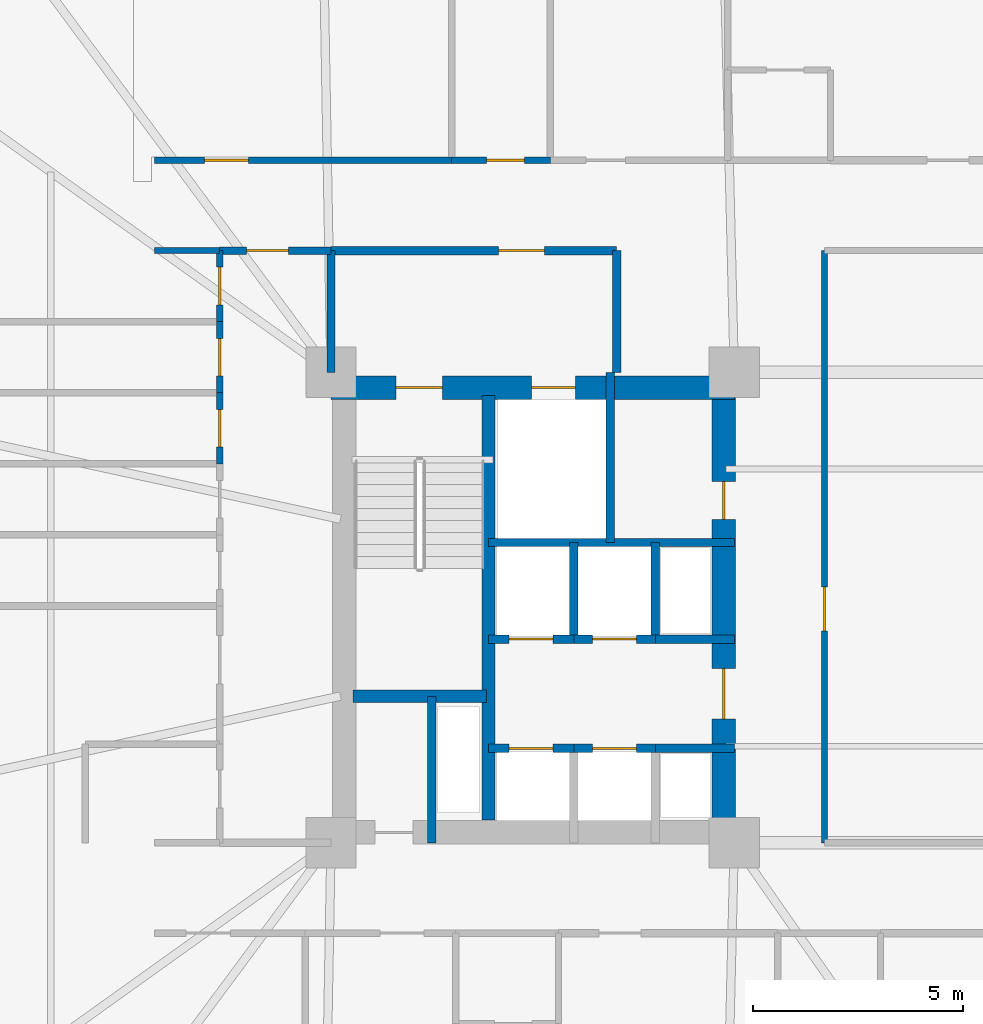
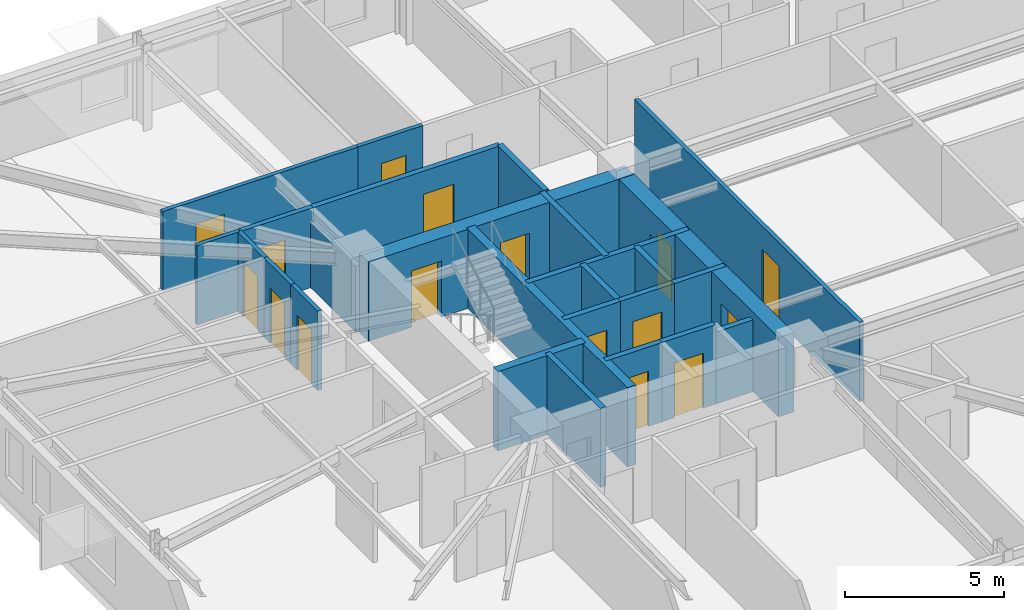
# One storey, part 15 of 22: 26 walls, 16 doors, 16 openings.
"""IFC4 building model written with IfcOpenShell, lengths in metres."""

from ifc_helpers import new_model, si_unit, direction, frame, frame_2d, origin, place, context, subcontext, project, spatial, rectangle, extrude, material, layer, layer_set, type_object, element, fill, save


model = new_model("IFC4")

# Units and contexts
model_context = context("Model", 3, precision=1e-05, world=origin(), true_north=direction((0.0, 1.0)))
body_context = subcontext(model_context, "Body", "Model", "MODEL_VIEW")
ifc_project = project(units=[si_unit("LENGTHUNIT", "METRE"), si_unit("AREAUNIT", "SQUARE_METRE"), si_unit("VOLUMEUNIT", "CUBIC_METRE"), si_unit("PLANEANGLEUNIT", "RADIAN"), si_unit("MASSUNIT", "GRAM", prefix="KILO")], contexts=[model_context])

# Site, building, storey
site_placement = place(None, origin())
site = spatial("IfcSite", under=ifc_project, at=site_placement, CompositionType="ELEMENT")
building_placement = place(site_placement, origin())
building = spatial("IfcBuilding", under=site, at=building_placement, Name="Qobustan Lattice House", CompositionType="ELEMENT")
storey_placement = place(building_placement, frame((0.0, 0.0, 33.699951171875)))
storey = spatial("IfcBuildingStorey", under=building, at=storey_placement, Name="L08", CompositionType="ELEMENT", Elevation=33.699951171875)

# Wall, openings, doors
ifc_material_1 = material(Name="Concrete C60/75", Category="concrete")
ifc_layer_1 = layer(ifc_material_1, 0.56005859375)
ifc_layer_set_1 = layer_set([ifc_layer_1], Name="Concrete C60/75")
wall_type_1 = type_object("IfcWallType", Name="WAL-CORE-600", PredefinedType="SHEAR", material=ifc_layer_set_1)
wall_1_placement = place(storey_placement, frame((-18.800048828125, 5.239990234375, 0.0), z_axis=(0.0, 0.0, 1.0), x_axis=(1.0, 0.0, 0.0)))
wall_1 = element("IfcWall", 1, at=wall_1_placement, inside=storey, type_object=wall_type_1, Name="L08 split-core shear wall CW-N", PredefinedType="SHEAR", context=body_context, shape_type="SweptSolid", body=[
    extrude(rectangle(XDim=9.60009765625, YDim=0.56005859375, at=frame_2d((4.800048828125, 0.0))), origin(), (0.0, 0.0, 1.0), 3.03515625),
])
opening_1_placement = place(wall_1_placement, frame((1.550048828125, 0.0, 0.0)))
opening_1 = element("IfcOpeningElement", 2, at=opening_1_placement, cuts=wall_1, Name="Opening SD-01", PredefinedType="OPENING", context=body_context, shape_type="SweptSolid", body=[
    extrude(rectangle(XDim=1.10009765625, YDim=2.14990234375, at=frame_2d((0.550048828125, 1.074951171875))), frame((0.0, 0.2900390625, 0.0), z_axis=(0.0, -1.0, 0.0), x_axis=(1.0, 0.0, 0.0)), (0.0, 0.0, 1.0), 0.580078125),
])
opening_2_placement = place(wall_1_placement, frame((4.77490234375, 0.0, 0.0)))
opening_2 = element("IfcOpeningElement", 3, at=opening_2_placement, cuts=wall_1, Name="Opening LD-01", PredefinedType="OPENING", context=body_context, shape_type="SweptSolid", body=[
    extrude(rectangle(XDim=1.050048828125, YDim=2.10009765625, at=frame_2d((0.52490234375, 1.050048828125))), frame((0.0, 0.2900390625, 0.0), z_axis=(0.0, -1.0, 0.0), x_axis=(1.0, 0.0, 0.0)), (0.0, 0.0, 1.0), 0.580078125),
])
ifc_material_2 = material(Name="Persian walnut timber and steel frame door", Category="steel")
door_type_1 = type_object("IfcDoorType", Name="DOR-LIFT-LD-1050x2100", OperationType="NOTDEFINED", PredefinedType="DOOR", material=ifc_material_2)
door_1_placement = place(opening_2_placement, origin())
door_1 = element("IfcDoor", 4, at=door_1_placement, inside=storey, type_object=door_type_1, Name="L08 firefighting lift FF-W landing door", OperationType="DOUBLE_DOOR_SLIDING", OverallHeight=2.10009765625, OverallWidth=1.050048828125, PredefinedType="DOOR", context=body_context, shape_type="SweptSolid", body=[
    extrude(rectangle(XDim=1.050048828125, YDim=2.10009765625, at=frame_2d((0.52490234375, 1.050048828125))), frame((0.0, 0.02490234375, 0.0), z_axis=(0.0, -1.0, 0.0), x_axis=(1.0, 0.0, 0.0)), (0.0, 0.0, 1.0), 0.050048828125),
])
fill(opening_2, door_1)
ifc_material_3 = material(Name="Persian walnut timber and steel frame door", Category="steel")
door_type_2 = type_object("IfcDoorType", Name="DOR-STAIR-FD-1100x2150", OperationType="NOTDEFINED", PredefinedType="DOOR", material=ifc_material_3)
door_2_placement = place(opening_1_placement, origin())
door_2 = element("IfcDoor", 5, at=door_2_placement, inside=storey, type_object=door_type_2, Name="L08 exit stair ST-W1 fire door", OperationType="SINGLE_SWING_LEFT", OverallHeight=2.14990234375, OverallWidth=1.10009765625, PredefinedType="DOOR", context=body_context, shape_type="SweptSolid", body=[
    extrude(rectangle(XDim=1.10009765625, YDim=2.14990234375, at=frame_2d((0.550048828125, 1.074951171875))), frame((0.0, 0.02490234375, 0.0), z_axis=(0.0, -1.0, 0.0), x_axis=(1.0, 0.0, 0.0)), (0.0, 0.0, 1.0), 0.050048828125),
])
fill(opening_1, door_2)

wall_2_placement = place(storey_placement, frame((-9.449951171875, -5.050048828125, 0.0), z_axis=(0.0, 0.0, 1.0), x_axis=(0.0, 1.0, 0.0)))
wall_2 = element("IfcWall", 6, at=wall_2_placement, inside=storey, type_object=wall_type_1, Name="L08 split-core shear wall CW-E", PredefinedType="SHEAR", context=body_context, shape_type="SweptSolid", body=[
    extrude(rectangle(XDim=10.10009765625, YDim=0.56005859375, at=frame_2d((5.050048828125, 0.0))), origin(), (0.0, 0.0, 1.0), 3.03515625),
])
opening_3_placement = place(wall_2_placement, frame((7.14990234375, 0.0, 0.0)))
opening_3 = element("IfcOpeningElement", 7, at=opening_3_placement, cuts=wall_2, Name="Opening RD-01", PredefinedType="OPENING", context=body_context, shape_type="SweptSolid", body=[
    extrude(rectangle(XDim=0.89990234375, YDim=2.10009765625, at=frame_2d((0.449951171875, 1.050048828125))), frame((0.0, 0.2900390625, 0.0), z_axis=(0.0, -1.0, 0.0), x_axis=(1.0, 0.0, 0.0)), (0.0, 0.0, 1.0), 0.580078125),
])
opening_4_placement = place(wall_2_placement, frame((2.39990234375, 0.0, 0.0)))
opening_4 = element("IfcOpeningElement", 8, at=opening_4_placement, cuts=wall_2, Name="Opening FD-01", PredefinedType="OPENING", context=body_context, shape_type="SweptSolid", body=[
    extrude(rectangle(XDim=1.199951171875, YDim=2.14990234375, at=frame_2d((0.60009765625, 1.074951171875))), frame((0.0, 0.2900390625, 0.0), z_axis=(0.0, -1.0, 0.0), x_axis=(1.0, 0.0, 0.0)), (0.0, 0.0, 1.0), 0.580078125),
])
ifc_material_4 = material(Name="Persian walnut timber and steel frame door", Category="steel")
door_type_3 = type_object("IfcDoorType", Name="DOR-LOBBY-FD-1200x2150", OperationType="NOTDEFINED", PredefinedType="DOOR", material=ifc_material_4)
door_3_placement = place(opening_4_placement, origin())
door_3 = element("IfcDoor", 9, at=door_3_placement, inside=storey, type_object=door_type_3, Name="L08 West passenger lift lobby fire door", OperationType="SINGLE_SWING_LEFT", OverallHeight=2.14990234375, OverallWidth=1.199951171875, PredefinedType="DOOR", context=body_context, shape_type="SweptSolid", body=[
    extrude(rectangle(XDim=1.199951171875, YDim=2.14990234375, at=frame_2d((0.60009765625, 1.074951171875))), frame((0.0, 0.02490234375, 0.0), z_axis=(0.0, -1.0, 0.0), x_axis=(1.0, 0.0, 0.0)), (0.0, 0.0, 1.0), 0.050048828125),
])
fill(opening_4, door_3)
ifc_material_5 = material(Name="Persian walnut timber and steel frame door", Category="steel")
door_type_4 = type_object("IfcDoorType", Name="DOR-RISER-FD-900x2100", OperationType="NOTDEFINED", PredefinedType="DOOR", material=ifc_material_5)
door_4_placement = place(opening_3_placement, origin())
door_4 = element("IfcDoor", 10, at=door_4_placement, inside=storey, type_object=door_type_4, Name="L08 Floor tea pantry fire door", OperationType="SINGLE_SWING_RIGHT", OverallHeight=2.10009765625, OverallWidth=0.89990234375, PredefinedType="DOOR", context=body_context, shape_type="SweptSolid", body=[
    extrude(rectangle(XDim=0.89990234375, YDim=2.10009765625, at=frame_2d((0.449951171875, 1.050048828125))), frame((0.0, 0.02490234375, 0.0), z_axis=(0.0, -1.0, 0.0), x_axis=(1.0, 0.0, 0.0)), (0.0, 0.0, 1.0), 0.050048828125),
])
fill(opening_3, door_4)

# Walls
ifc_material_6 = material(Name="Concrete C50/60", Category="concrete")
ifc_layer_2 = layer(ifc_material_6, 0.280029296875)
ifc_layer_set_2 = layer_set([ifc_layer_2], Name="Concrete C50/60")
wall_type_2 = type_object("IfcWallType", Name="WAL-CORE-SPINE-280", PredefinedType="SHEAR", material=ifc_layer_set_2)
wall_3_placement = place(storey_placement, frame((-15.050048828125, -5.050048828125, 0.0), z_axis=(0.0, 0.0, 1.0), x_axis=(0.0, 1.0, 0.0)))
element("IfcWall", 11, at=wall_3_placement, inside=storey, type_object=wall_type_2, Name="L08 split-core shear wall CW-M", PredefinedType="SHEAR", context=body_context, shape_type="SweptSolid", body=[
    extrude(rectangle(XDim=10.10009765625, YDim=0.300048828125, at=frame_2d((5.050048828125, 0.0))), origin(), (0.0, 0.0, 1.0), 3.03515625),
])
wall_4_placement = place(storey_placement, frame((-18.280029296875, -2.110107421875, 0.0), z_axis=(0.0, 0.0, 1.0), x_axis=(1.0, 0.0, 0.0)))
element("IfcWall", 12, at=wall_4_placement, inside=storey, type_object=wall_type_2, Name="L08 split-core shear wall CW-ST", PredefinedType="SHEAR", context=body_context, shape_type="SweptSolid", body=[
    extrude(rectangle(XDim=3.179931640625, YDim=0.300048828125, at=frame_2d((1.58984375, 0.0))), origin(), (0.0, 0.0, 1.0), 3.03515625),
])

# Wall, opening, door
ifc_material_7 = material(Name="Gypsum fireboard acoustic partition", Category="gypsum")
ifc_layer_3 = layer(ifc_material_7, 0.179931640625)
ifc_layer_set_3 = layer_set([ifc_layer_3], Name="Gypsum fireboard acoustic partition")
wall_type_3 = type_object("IfcWallType", Name="WAL-FIRE-180", PredefinedType="PARTITIONING", material=ifc_layer_set_3)
wall_5_placement = place(storey_placement, frame((-18.800048828125, 8.5, 0.0), z_axis=(0.0, 0.0, 1.0), x_axis=(-1.0, 0.0, 0.0)))
wall_5 = element("IfcWall", 13, at=wall_5_placement, inside=storey, type_object=wall_type_3, Name="L08 interior partition 36", PredefinedType="PARTITIONING", context=body_context, shape_type="SweptSolid", body=[
    extrude(rectangle(XDim=2.64990234375, YDim=0.179931640625, at=frame_2d((1.324951171875, 0.0))), origin(), (0.0, 0.0, 1.0), 3.03515625),
])
opening_5_placement = place(wall_5_placement, frame((1.0087890625, 0.0, 0.0)))
opening_5 = element("IfcOpeningElement", 14, at=opening_5_placement, cuts=wall_5, Name="Opening FD-02", PredefinedType="OPENING", context=body_context, shape_type="SweptSolid", body=[
    extrude(rectangle(XDim=1.0, YDim=2.14990234375, at=frame_2d((0.5, 1.074951171875))), frame((0.0, 0.099853515625, 0.0), z_axis=(0.0, -1.0, 0.0), x_axis=(1.0, 0.0, 0.0)), (0.0, 0.0, 1.0), 0.199951171875),
])
ifc_material_8 = material(Name="Persian walnut timber and steel frame door", Category="steel")
door_type_5 = type_object("IfcDoorType", Name="DOR-UNIT-FD-1000x2150", OperationType="NOTDEFINED", PredefinedType="DOOR", material=ifc_material_8)
door_5_placement = place(opening_5_placement, origin())
door_5 = element("IfcDoor", 15, at=door_5_placement, inside=storey, type_object=door_type_5, Name="L08 North-west floor corridor to Residence entrance hall L08W door", OperationType="SINGLE_SWING_RIGHT", OverallHeight=2.14990234375, OverallWidth=1.0, PredefinedType="DOOR", context=body_context, shape_type="SweptSolid", body=[
    extrude(rectangle(XDim=1.0, YDim=2.14990234375, at=frame_2d((0.5, 1.074951171875))), frame((0.0, 0.02490234375, 0.0), z_axis=(0.0, -1.0, 0.0), x_axis=(1.0, 0.0, 0.0)), (0.0, 0.0, 1.0), 0.050048828125),
])
fill(opening_5, door_5)

# Wall
ifc_material_9 = material(Name="Acoustic twin-stud gypsum partition", Category="gypsum")
ifc_layer_4 = layer(ifc_material_9, 0.14990234375)
ifc_layer_set_4 = layer_set([ifc_layer_4], Name="Acoustic twin-stud gypsum partition")
wall_type_4 = type_object("IfcWallType", Name="WAL-PART-150", PredefinedType="PARTITIONING", material=ifc_layer_set_4)
wall_6_placement = place(storey_placement, frame((-21.449951171875, 8.5, 0.0), z_axis=(0.0, 0.0, 1.0), x_axis=(-1.0, 0.0, 0.0)))
element("IfcWall", 16, at=wall_6_placement, inside=storey, type_object=wall_type_4, Name="L08 interior partition 37", PredefinedType="PARTITIONING", context=body_context, shape_type="SweptSolid", body=[
    extrude(rectangle(XDim=1.550048828125, YDim=0.14990234375, at=frame_2d((0.77490234375, 0.0))), origin(), (0.0, 0.0, 1.0), 3.03515625),
])

# Wall, opening, door
wall_7_placement = place(storey_placement, frame((-23.0, 10.64990234375, 0.0), z_axis=(0.0, 0.0, 1.0), x_axis=(1.0, 0.0, 0.0)))
wall_7 = element("IfcWall", 17, at=wall_7_placement, inside=storey, type_object=wall_type_4, Name="L08 interior partition 38", PredefinedType="PARTITIONING", context=body_context, shape_type="SweptSolid", body=[
    extrude(rectangle(XDim=7.071044921875, YDim=0.14990234375, at=frame_2d((3.53564453125, 0.0))), origin(), (0.0, 0.0, 1.0), 3.03515625),
])
opening_6_placement = place(wall_7_placement, frame((1.1875, 0.0, 0.0)))
opening_6 = element("IfcOpeningElement", 18, at=opening_6_placement, cuts=wall_7, Name="Opening ID-02", PredefinedType="OPENING", context=body_context, shape_type="SweptSolid", body=[
    extrude(rectangle(XDim=1.050048828125, YDim=2.14990234375, at=frame_2d((0.52490234375, 1.074951171875))), frame((0.0, 0.0849609375, 0.0), z_axis=(0.0, -1.0, 0.0), x_axis=(1.0, 0.0, 0.0)), (0.0, 0.0, 1.0), 0.169921875),
])
ifc_material_10 = material(Name="Persian walnut timber and steel frame door", Category="steel")
door_type_6 = type_object("IfcDoorType", Name="DOR-STUDY-1050x2150", OperationType="NOTDEFINED", PredefinedType="DOOR", material=ifc_material_10)
door_6_placement = place(opening_6_placement, origin())
door_6 = element("IfcDoor", 19, at=door_6_placement, inside=storey, type_object=door_type_6, Name="L08 North-west floor corridor to Focus study room N1 door", OperationType="SINGLE_SWING_LEFT", OverallHeight=2.14990234375, OverallWidth=1.050048828125, PredefinedType="DOOR", context=body_context, shape_type="SweptSolid", body=[
    extrude(rectangle(XDim=1.050048828125, YDim=2.14990234375, at=frame_2d((0.52490234375, 1.074951171875))), frame((0.0, 0.02490234375, 0.0), z_axis=(0.0, -1.0, 0.0), x_axis=(1.0, 0.0, 0.0)), (0.0, 0.0, 1.0), 0.050048828125),
])
fill(opening_6, door_6)

wall_8_placement = place(storey_placement, frame((-7.050048828125, 8.5, 0.0), z_axis=(0.0, 0.0, 1.0), x_axis=(0.0, -1.0, 0.0)))
wall_8 = element("IfcWall", 20, at=wall_8_placement, inside=storey, type_object=wall_type_4, Name="L08 interior partition 73", PredefinedType="PARTITIONING", context=body_context, shape_type="SweptSolid", body=[
    extrude(rectangle(XDim=14.10009765625, YDim=0.14990234375, at=frame_2d((7.050048828125, 0.0))), origin(), (0.0, 0.0, 1.0), 3.03515625),
])
opening_7_placement = place(wall_8_placement, frame((8.01123046875, 0.0, 0.0)))
opening_7 = element("IfcOpeningElement", 21, at=opening_7_placement, cuts=wall_8, Name="Opening ID-02", PredefinedType="OPENING", context=body_context, shape_type="SweptSolid", body=[
    extrude(rectangle(XDim=1.050048828125, YDim=2.14990234375, at=frame_2d((0.52490234375, 1.074951171875))), frame((0.0, 0.0849609375, 0.0), z_axis=(0.0, -1.0, 0.0), x_axis=(1.0, 0.0, 0.0)), (0.0, 0.0, 1.0), 0.169921875),
])
door_7_placement = place(opening_7_placement, origin())
door_7 = element("IfcDoor", 22, at=door_7_placement, inside=storey, type_object=door_type_6, Name="L08 West floor link corridor to Central silent study room door", OperationType="SINGLE_SWING_RIGHT", OverallHeight=2.14990234375, OverallWidth=1.050048828125, PredefinedType="DOOR", context=body_context, shape_type="SweptSolid", body=[
    extrude(rectangle(XDim=1.050048828125, YDim=2.14990234375, at=frame_2d((0.52490234375, 1.074951171875))), frame((0.0, 0.02490234375, 0.0), z_axis=(0.0, -1.0, 0.0), x_axis=(1.0, 0.0, 0.0)), (0.0, 0.0, 1.0), 0.050048828125),
])
fill(opening_7, door_7)

wall_9_placement = place(storey_placement, frame((-21.449951171875, 3.424072265625, 0.0), z_axis=(0.0, 0.0, 1.0), x_axis=(0.0, 1.0, 0.0)))
wall_9 = element("IfcWall", 23, at=wall_9_placement, inside=storey, type_object=wall_type_4, Name="L08 interior partition 80", PredefinedType="PARTITIONING", context=body_context, shape_type="SweptSolid", body=[
    extrude(rectangle(XDim=1.69189453125, YDim=0.14990234375, at=frame_2d((0.845947265625, 0.0))), origin(), (0.0, 0.0, 1.0), 3.03515625),
])
opening_8_placement = place(wall_9_placement, frame((0.39599609375, 0.0, 0.0)))
opening_8 = element("IfcOpeningElement", 24, at=opening_8_placement, cuts=wall_9, Name="Opening WD-01", PredefinedType="OPENING", context=body_context, shape_type="SweptSolid", body=[
    extrude(rectangle(XDim=0.89990234375, YDim=2.10009765625, at=frame_2d((0.449951171875, 1.050048828125))), frame((0.0, 0.0849609375, 0.0), z_axis=(0.0, -1.0, 0.0), x_axis=(1.0, 0.0, 0.0)), (0.0, 0.0, 1.0), 0.169921875),
])
ifc_material_11 = material(Name="Persian walnut timber and steel frame door", Category="steel")
door_type_7 = type_object("IfcDoorType", Name="DOR-WET-900x2100", OperationType="NOTDEFINED", PredefinedType="DOOR", material=ifc_material_11)
door_8_placement = place(opening_8_placement, origin())
door_8 = element("IfcDoor", 25, at=door_8_placement, inside=storey, type_object=door_type_7, Name="L08 Residence entrance hall L08W to Cluster bedroom L08W3 door", OperationType="SINGLE_SWING_LEFT", OverallHeight=2.10009765625, OverallWidth=0.89990234375, PredefinedType="DOOR", context=body_context, shape_type="SweptSolid", body=[
    extrude(rectangle(XDim=0.89990234375, YDim=2.10009765625, at=frame_2d((0.449951171875, 1.050048828125))), frame((0.0, 0.02490234375, 0.0), z_axis=(0.0, -1.0, 0.0), x_axis=(1.0, 0.0, 0.0)), (0.0, 0.0, 1.0), 0.050048828125),
])
fill(opening_8, door_8)

wall_10_placement = place(storey_placement, frame((-21.449951171875, 5.115966796875, 0.0), z_axis=(0.0, 0.0, 1.0), x_axis=(0.0, 1.0, 0.0)))
wall_10 = element("IfcWall", 26, at=wall_10_placement, inside=storey, type_object=wall_type_4, Name="L08 interior partition 81", PredefinedType="PARTITIONING", context=body_context, shape_type="SweptSolid", body=[
    extrude(rectangle(XDim=1.692138671875, YDim=0.14990234375, at=frame_2d((0.84619140625, 0.0))), origin(), (0.0, 0.0, 1.0), 3.03515625),
])
opening_9_placement = place(wall_10_placement, frame((0.39599609375, 0.0, 0.0)))
opening_9 = element("IfcOpeningElement", 27, at=opening_9_placement, cuts=wall_10, Name="Opening WD-01", PredefinedType="OPENING", context=body_context, shape_type="SweptSolid", body=[
    extrude(rectangle(XDim=0.89990234375, YDim=2.10009765625, at=frame_2d((0.449951171875, 1.050048828125))), frame((0.0, 0.0849609375, 0.0), z_axis=(0.0, -1.0, 0.0), x_axis=(1.0, 0.0, 0.0)), (0.0, 0.0, 1.0), 0.169921875),
])
door_9_placement = place(opening_9_placement, origin())
door_9 = element("IfcDoor", 28, at=door_9_placement, inside=storey, type_object=door_type_7, Name="L08 Residence entrance hall L08W to Cluster bedroom L08W4 door", OperationType="SINGLE_SWING_RIGHT", OverallHeight=2.10009765625, OverallWidth=0.89990234375, PredefinedType="DOOR", context=body_context, shape_type="SweptSolid", body=[
    extrude(rectangle(XDim=0.89990234375, YDim=2.10009765625, at=frame_2d((0.449951171875, 1.050048828125))), frame((0.0, 0.02490234375, 0.0), z_axis=(0.0, -1.0, 0.0), x_axis=(1.0, 0.0, 0.0)), (0.0, 0.0, 1.0), 0.050048828125),
])
fill(opening_9, door_9)

wall_11_placement = place(storey_placement, frame((-21.449951171875, 6.80810546875, 0.0), z_axis=(0.0, 0.0, 1.0), x_axis=(0.0, 1.0, 0.0)))
wall_11 = element("IfcWall", 29, at=wall_11_placement, inside=storey, type_object=wall_type_4, Name="L08 interior partition 82", PredefinedType="PARTITIONING", context=body_context, shape_type="SweptSolid", body=[
    extrude(rectangle(XDim=1.69189453125, YDim=0.14990234375, at=frame_2d((0.845947265625, 0.0))), origin(), (0.0, 0.0, 1.0), 3.03515625),
])
opening_10_placement = place(wall_11_placement, frame((0.39599609375, 0.0, 0.0)))
opening_10 = element("IfcOpeningElement", 30, at=opening_10_placement, cuts=wall_11, Name="Opening WD-01", PredefinedType="OPENING", context=body_context, shape_type="SweptSolid", body=[
    extrude(rectangle(XDim=0.89990234375, YDim=2.10009765625, at=frame_2d((0.449951171875, 1.050048828125))), frame((0.0, 0.0849609375, 0.0), z_axis=(0.0, -1.0, 0.0), x_axis=(1.0, 0.0, 0.0)), (0.0, 0.0, 1.0), 0.169921875),
])
door_10_placement = place(opening_10_placement, origin())
door_10 = element("IfcDoor", 31, at=door_10_placement, inside=storey, type_object=door_type_7, Name="L08 Residence entrance hall L08W to Cluster bedroom L08W5 door", OperationType="SINGLE_SWING_LEFT", OverallHeight=2.10009765625, OverallWidth=0.89990234375, PredefinedType="DOOR", context=body_context, shape_type="SweptSolid", body=[
    extrude(rectangle(XDim=0.89990234375, YDim=2.10009765625, at=frame_2d((0.449951171875, 1.050048828125))), frame((0.0, 0.02490234375, 0.0), z_axis=(0.0, -1.0, 0.0), x_axis=(1.0, 0.0, 0.0)), (0.0, 0.0, 1.0), 0.050048828125),
])
fill(opening_10, door_10)

ifc_material_12 = material(Name="Two-hour gypsum fireboard acoustic partition", Category="gypsum")
ifc_layer_5 = layer(ifc_material_12, 0.199951171875)
ifc_layer_set_5 = layer_set([ifc_layer_5], Name="Two-hour gypsum fireboard acoustic partition")
wall_type_5 = type_object("IfcWallType", Name="WAL-PROT-200", PredefinedType="PARTITIONING", material=ifc_layer_set_5)
wall_12_placement = place(storey_placement, frame((-12.0, 8.5, 0.0), z_axis=(0.0, 0.0, 1.0), x_axis=(-1.0, 0.0, 0.0)))
wall_12 = element("IfcWall", 32, at=wall_12_placement, inside=storey, type_object=wall_type_5, Name="L08 interior partition 3", PredefinedType="PARTITIONING", context=body_context, shape_type="SweptSolid", body=[
    extrude(rectangle(XDim=6.800048828125, YDim=0.199951171875, at=frame_2d((3.39990234375, 0.0))), origin(), (0.0, 0.0, 1.0), 3.03515625),
])
opening_11_placement = place(wall_12_placement, frame((1.715087890625, 0.0, 0.0)))
opening_11 = element("IfcOpeningElement", 33, at=opening_11_placement, cuts=wall_12, Name="Opening SD-01", PredefinedType="OPENING", context=body_context, shape_type="SweptSolid", body=[
    extrude(rectangle(XDim=1.10009765625, YDim=2.14990234375, at=frame_2d((0.550048828125, 1.074951171875))), frame((0.0, 0.10986328125, 0.0), z_axis=(0.0, -1.0, 0.0), x_axis=(1.0, 0.0, 0.0)), (0.0, 0.0, 1.0), 0.219970703125),
])
door_11_placement = place(opening_11_placement, origin())
door_11 = element("IfcDoor", 34, at=door_11_placement, inside=storey, type_object=door_type_2, Name="L08 West firefighting lift lobby to North-west floor corridor door", OperationType="SINGLE_SWING_LEFT", OverallHeight=2.14990234375, OverallWidth=1.10009765625, PredefinedType="DOOR", context=body_context, shape_type="SweptSolid", body=[
    extrude(rectangle(XDim=1.10009765625, YDim=2.14990234375, at=frame_2d((0.550048828125, 1.074951171875))), frame((0.0, 0.02490234375, 0.0), z_axis=(0.0, -1.0, 0.0), x_axis=(1.0, 0.0, 0.0)), (0.0, 0.0, 1.0), 0.050048828125),
])
fill(opening_11, door_11)

# Walls
wall_13_placement = place(storey_placement, frame((-12.0, 5.60009765625, 0.0), z_axis=(0.0, 0.0, 1.0), x_axis=(0.0, 1.0, 0.0)))
element("IfcWall", 35, at=wall_13_placement, inside=storey, type_object=wall_type_5, Name="L08 interior partition 4", PredefinedType="PARTITIONING", context=body_context, shape_type="SweptSolid", body=[
    extrude(rectangle(XDim=2.89990234375, YDim=0.199951171875, at=frame_2d((1.449951171875, 0.0))), origin(), (0.0, 0.0, 1.0), 3.03515625),
])
wall_14_placement = place(storey_placement, frame((-18.800048828125, 8.5, 0.0), z_axis=(0.0, 0.0, 1.0), x_axis=(0.0, -1.0, 0.0)))
element("IfcWall", 36, at=wall_14_placement, inside=storey, type_object=wall_type_5, Name="L08 interior partition 5", PredefinedType="PARTITIONING", context=body_context, shape_type="SweptSolid", body=[
    extrude(rectangle(XDim=2.89990234375, YDim=0.199951171875, at=frame_2d((1.449951171875, 0.0))), origin(), (0.0, 0.0, 1.0), 2.52001953125),
])
ifc_material_13 = material(Name="Concrete C40/50", Category="concrete")
ifc_layer_6 = layer(ifc_material_13, 0.199951171875)
ifc_layer_set_6 = layer_set([ifc_layer_6], Name="Concrete C40/50")
wall_type_6 = type_object("IfcWallType", Name="WAL-SHAFT-200", PredefinedType="PARTITIONING", material=ifc_layer_set_6)
wall_15_placement = place(storey_placement, frame((-16.39990234375, -5.60009765625, 0.0), z_axis=(0.0, 0.0, 1.0), x_axis=(0.0, 1.0, 0.0)))
element("IfcWall", 37, at=wall_15_placement, inside=storey, type_object=wall_type_6, Name="L08 interior partition 1", PredefinedType="PARTITIONING", context=body_context, shape_type="SweptSolid", body=[
    extrude(rectangle(XDim=3.489990234375, YDim=0.199951171875, at=frame_2d((1.7451171875, 0.0))), origin(), (0.0, 0.0, 1.0), 3.03515625),
])
wall_16_placement = place(storey_placement, frame((-12.14990234375, 1.550048828125, 0.0), z_axis=(0.0, 0.0, 1.0), x_axis=(0.0, 1.0, 0.0)))
element("IfcWall", 38, at=wall_16_placement, inside=storey, type_object=wall_type_6, Name="L08 interior partition 2", PredefinedType="PARTITIONING", context=body_context, shape_type="SweptSolid", body=[
    extrude(rectangle(XDim=4.050048828125, YDim=0.199951171875, at=frame_2d((2.02490234375, 0.0))), origin(), (0.0, 0.0, 1.0), 3.03515625),
])

# Wall, opening, door
wall_17_placement = place(storey_placement, frame((-15.050048828125, -3.35009765625, 0.0), z_axis=(0.0, 0.0, 1.0), x_axis=(1.0, 0.0, 0.0)))
wall_17 = element("IfcWall", 39, at=wall_17_placement, inside=storey, type_object=wall_type_6, Name="L08 interior partition 7", PredefinedType="PARTITIONING", context=body_context, shape_type="SweptSolid", body=[
    extrude(rectangle(XDim=2.030029296875, YDim=0.199951171875, at=frame_2d((1.01513671875, 0.0))), origin(), (0.0, 0.0, 1.0), 3.03515625),
])
opening_12_placement = place(wall_17_placement, frame((0.489990234375, 0.0, 0.0)))
opening_12 = element("IfcOpeningElement", 40, at=opening_12_placement, cuts=wall_17, Name="Opening LD-01", PredefinedType="OPENING", context=body_context, shape_type="SweptSolid", body=[
    extrude(rectangle(XDim=1.050048828125, YDim=2.10009765625, at=frame_2d((0.52490234375, 1.050048828125))), frame((0.0, 0.10986328125, 0.0), z_axis=(0.0, -1.0, 0.0), x_axis=(1.0, 0.0, 0.0)), (0.0, 0.0, 1.0), 0.219970703125),
])
door_12_placement = place(opening_12_placement, origin())
door_12 = element("IfcDoor", 41, at=door_12_placement, inside=storey, type_object=door_type_1, Name="L08 lift landing door", OperationType="DOUBLE_DOOR_SLIDING", OverallHeight=2.10009765625, OverallWidth=1.050048828125, PredefinedType="DOOR", context=body_context, shape_type="SweptSolid", body=[
    extrude(rectangle(XDim=1.050048828125, YDim=2.10009765625, at=frame_2d((0.52490234375, 1.050048828125))), frame((0.0, 0.02490234375, 0.0), z_axis=(0.0, -1.0, 0.0), x_axis=(1.0, 0.0, 0.0)), (0.0, 0.0, 1.0), 0.050048828125),
])
fill(opening_12, door_12)

wall_18_placement = place(storey_placement, frame((-13.02001953125, -3.35009765625, 0.0), z_axis=(0.0, 0.0, 1.0), x_axis=(1.0, 0.0, 0.0)))
wall_18 = element("IfcWall", 42, at=wall_18_placement, inside=storey, type_object=wall_type_6, Name="L08 interior partition 8", PredefinedType="PARTITIONING", context=body_context, shape_type="SweptSolid", body=[
    extrude(rectangle(XDim=1.93994140625, YDim=0.199951171875, at=frame_2d((0.969970703125, 0.0))), origin(), (0.0, 0.0, 1.0), 3.03515625),
])
opening_13_placement = place(wall_18_placement, frame((0.445068359375, 0.0, 0.0)))
opening_13 = element("IfcOpeningElement", 43, at=opening_13_placement, cuts=wall_18, Name="Opening LD-01", PredefinedType="OPENING", context=body_context, shape_type="SweptSolid", body=[
    extrude(rectangle(XDim=1.050048828125, YDim=2.10009765625, at=frame_2d((0.52490234375, 1.050048828125))), frame((0.0, 0.10986328125, 0.0), z_axis=(0.0, -1.0, 0.0), x_axis=(1.0, 0.0, 0.0)), (0.0, 0.0, 1.0), 0.219970703125),
])
door_13_placement = place(opening_13_placement, origin())
door_13 = element("IfcDoor", 44, at=door_13_placement, inside=storey, type_object=door_type_1, Name="L08 lift landing door", OperationType="DOUBLE_DOOR_SLIDING", OverallHeight=2.10009765625, OverallWidth=1.050048828125, PredefinedType="DOOR", context=body_context, shape_type="SweptSolid", body=[
    extrude(rectangle(XDim=1.050048828125, YDim=2.10009765625, at=frame_2d((0.52490234375, 1.050048828125))), frame((0.0, 0.02490234375, 0.0), z_axis=(0.0, -1.0, 0.0), x_axis=(1.0, 0.0, 0.0)), (0.0, 0.0, 1.0), 0.050048828125),
])
fill(opening_13, door_13)

# Wall
wall_19_placement = place(storey_placement, frame((-11.080078125, -3.35009765625, 0.0), z_axis=(0.0, 0.0, 1.0), x_axis=(1.0, 0.0, 0.0)))
element("IfcWall", 45, at=wall_19_placement, inside=storey, type_object=wall_type_6, Name="L08 interior partition 9", PredefinedType="PARTITIONING", context=body_context, shape_type="SweptSolid", body=[
    extrude(rectangle(XDim=1.880126953125, YDim=0.199951171875, at=frame_2d((0.93994140625, 0.0))), origin(), (0.0, 0.0, 1.0), 2.75),
])

# Wall, opening, door
wall_20_placement = place(storey_placement, frame((-13.02001953125, -0.75, 0.0), z_axis=(0.0, 0.0, 1.0), x_axis=(-1.0, 0.0, 0.0)))
wall_20 = element("IfcWall", 46, at=wall_20_placement, inside=storey, type_object=wall_type_6, Name="L08 interior partition 10", PredefinedType="PARTITIONING", context=body_context, shape_type="SweptSolid", body=[
    extrude(rectangle(XDim=2.030029296875, YDim=0.199951171875, at=frame_2d((1.01513671875, 0.0))), origin(), (0.0, 0.0, 1.0), 3.03515625),
])
opening_14_placement = place(wall_20_placement, frame((0.489990234375, 0.0, 0.0)))
opening_14 = element("IfcOpeningElement", 47, at=opening_14_placement, cuts=wall_20, Name="Opening LD-01", PredefinedType="OPENING", context=body_context, shape_type="SweptSolid", body=[
    extrude(rectangle(XDim=1.050048828125, YDim=2.10009765625, at=frame_2d((0.52490234375, 1.050048828125))), frame((0.0, 0.10986328125, 0.0), z_axis=(0.0, -1.0, 0.0), x_axis=(1.0, 0.0, 0.0)), (0.0, 0.0, 1.0), 0.219970703125),
])
door_14_placement = place(opening_14_placement, origin())
door_14 = element("IfcDoor", 48, at=door_14_placement, inside=storey, type_object=door_type_1, Name="L08 lift landing door", OperationType="DOUBLE_DOOR_SLIDING", OverallHeight=2.10009765625, OverallWidth=1.050048828125, PredefinedType="DOOR", context=body_context, shape_type="SweptSolid", body=[
    extrude(rectangle(XDim=1.050048828125, YDim=2.10009765625, at=frame_2d((0.52490234375, 1.050048828125))), frame((0.0, 0.02490234375, 0.0), z_axis=(0.0, -1.0, 0.0), x_axis=(1.0, 0.0, 0.0)), (0.0, 0.0, 1.0), 0.050048828125),
])
fill(opening_14, door_14)

wall_21_placement = place(storey_placement, frame((-11.080078125, -0.75, 0.0), z_axis=(0.0, 0.0, 1.0), x_axis=(-1.0, 0.0, 0.0)))
wall_21 = element("IfcWall", 49, at=wall_21_placement, inside=storey, type_object=wall_type_6, Name="L08 interior partition 11", PredefinedType="PARTITIONING", context=body_context, shape_type="SweptSolid", body=[
    extrude(rectangle(XDim=1.93994140625, YDim=0.199951171875, at=frame_2d((0.969970703125, 0.0))), origin(), (0.0, 0.0, 1.0), 3.03515625),
])
opening_15_placement = place(wall_21_placement, frame((0.445068359375, 0.0, 0.0)))
opening_15 = element("IfcOpeningElement", 50, at=opening_15_placement, cuts=wall_21, Name="Opening LD-01", PredefinedType="OPENING", context=body_context, shape_type="SweptSolid", body=[
    extrude(rectangle(XDim=1.050048828125, YDim=2.10009765625, at=frame_2d((0.52490234375, 1.050048828125))), frame((0.0, 0.10986328125, 0.0), z_axis=(0.0, -1.0, 0.0), x_axis=(1.0, 0.0, 0.0)), (0.0, 0.0, 1.0), 0.219970703125),
])
door_15_placement = place(opening_15_placement, origin())
door_15 = element("IfcDoor", 51, at=door_15_placement, inside=storey, type_object=door_type_1, Name="L08 lift landing door", OperationType="DOUBLE_DOOR_SLIDING", OverallHeight=2.10009765625, OverallWidth=1.050048828125, PredefinedType="DOOR", context=body_context, shape_type="SweptSolid", body=[
    extrude(rectangle(XDim=1.050048828125, YDim=2.10009765625, at=frame_2d((0.52490234375, 1.050048828125))), frame((0.0, 0.02490234375, 0.0), z_axis=(0.0, -1.0, 0.0), x_axis=(1.0, 0.0, 0.0)), (0.0, 0.0, 1.0), 0.050048828125),
])
fill(opening_15, door_15)

# Walls
wall_22_placement = place(storey_placement, frame((-9.199951171875, -0.75, 0.0), z_axis=(0.0, 0.0, 1.0), x_axis=(-1.0, 0.0, 0.0)))
element("IfcWall", 52, at=wall_22_placement, inside=storey, type_object=wall_type_6, Name="L08 interior partition 12", PredefinedType="PARTITIONING", context=body_context, shape_type="SweptSolid", body=[
    extrude(rectangle(XDim=1.880126953125, YDim=0.199951171875, at=frame_2d((0.93994140625, 0.0))), origin(), (0.0, 0.0, 1.0), 3.03515625),
])
for number, where, z_axis, x_axis, name in (
    (53, (-13.02001953125, -0.75, 0.0), (0.0, 0.0, 1.0), (0.0, 1.0, 0.0), "L08 interior partition 16"),
    (54, (-11.080078125, -0.75, 0.0), (0.0, 0.0, 1.0), (0.0, 1.0, 0.0), "L08 interior partition 17"),
):
    element("IfcWall", number, at=place(storey_placement, frame(where, z_axis=z_axis, x_axis=x_axis)), inside=storey, type_object=wall_type_6, Name=name, PredefinedType="PARTITIONING", context=body_context, shape_type="SweptSolid", body=[
        extrude(rectangle(XDim=2.300048828125, YDim=0.199951171875, at=frame_2d((1.14990234375, 0.0))), origin(), (0.0, 0.0, 1.0), 3.03515625),
    ])
wall_23_placement = place(storey_placement, frame((-15.050048828125, 1.550048828125, 0.0), z_axis=(0.0, 0.0, 1.0), x_axis=(1.0, 0.0, 0.0)))
element("IfcWall", 55, at=wall_23_placement, inside=storey, type_object=wall_type_6, Name="L08 interior partition 145", PredefinedType="PARTITIONING", context=body_context, shape_type="SweptSolid", body=[
    extrude(rectangle(XDim=5.85009765625, YDim=0.199951171875, at=frame_2d((2.925048828125, 0.0))), origin(), (0.0, 0.0, 1.0), 3.03515625),
])

# Wall, opening, door
ifc_material_14 = material(Name="Moisture-resistant acoustic plumbing wall", Category="gypsum")
ifc_layer_7 = layer(ifc_material_14, 0.14990234375)
ifc_layer_set_7 = layer_set([ifc_layer_7], Name="Moisture-resistant acoustic plumbing wall")
wall_type_7 = type_object("IfcWallType", Name="WAL-WET-150", PredefinedType="PLUMBINGWALL", material=ifc_layer_set_7)
wall_24_placement = place(storey_placement, frame((-15.928955078125, 10.64990234375, 0.0), z_axis=(0.0, 0.0, 1.0), x_axis=(1.0, 0.0, 0.0)))
wall_24 = element("IfcWall", 56, at=wall_24_placement, inside=storey, type_object=wall_type_7, Name="L08 interior partition 39", PredefinedType="PLUMBINGWALL", context=body_context, shape_type="SweptSolid", body=[
    extrude(rectangle(XDim=2.349853515625, YDim=0.14990234375, at=frame_2d((1.1748046875, 0.0))), origin(), (0.0, 0.0, 1.0), 3.03515625),
])
opening_16_placement = place(wall_24_placement, frame((0.833740234375, 0.0, 0.0)))
opening_16 = element("IfcOpeningElement", 57, at=opening_16_placement, cuts=wall_24, Name="Opening WD-01", PredefinedType="OPENING", context=body_context, shape_type="SweptSolid", body=[
    extrude(rectangle(XDim=0.89990234375, YDim=2.10009765625, at=frame_2d((0.449951171875, 1.050048828125))), frame((0.0, 0.0849609375, 0.0), z_axis=(0.0, -1.0, 0.0), x_axis=(1.0, 0.0, 0.0)), (0.0, 0.0, 1.0), 0.169921875),
])
door_16_placement = place(opening_16_placement, origin())
door_16 = element("IfcDoor", 58, at=door_16_placement, inside=storey, type_object=door_type_7, Name="L08 North-west floor corridor to Accessible WC door", OperationType="SINGLE_SWING_RIGHT", OverallHeight=2.10009765625, OverallWidth=0.89990234375, PredefinedType="DOOR", context=body_context, shape_type="SweptSolid", body=[
    extrude(rectangle(XDim=0.89990234375, YDim=2.10009765625, at=frame_2d((0.449951171875, 1.050048828125))), frame((0.0, 0.02490234375, 0.0), z_axis=(0.0, -1.0, 0.0), x_axis=(1.0, 0.0, 0.0)), (0.0, 0.0, 1.0), 0.050048828125),
])
fill(opening_16, door_16)

save(model, "model.ifc")
